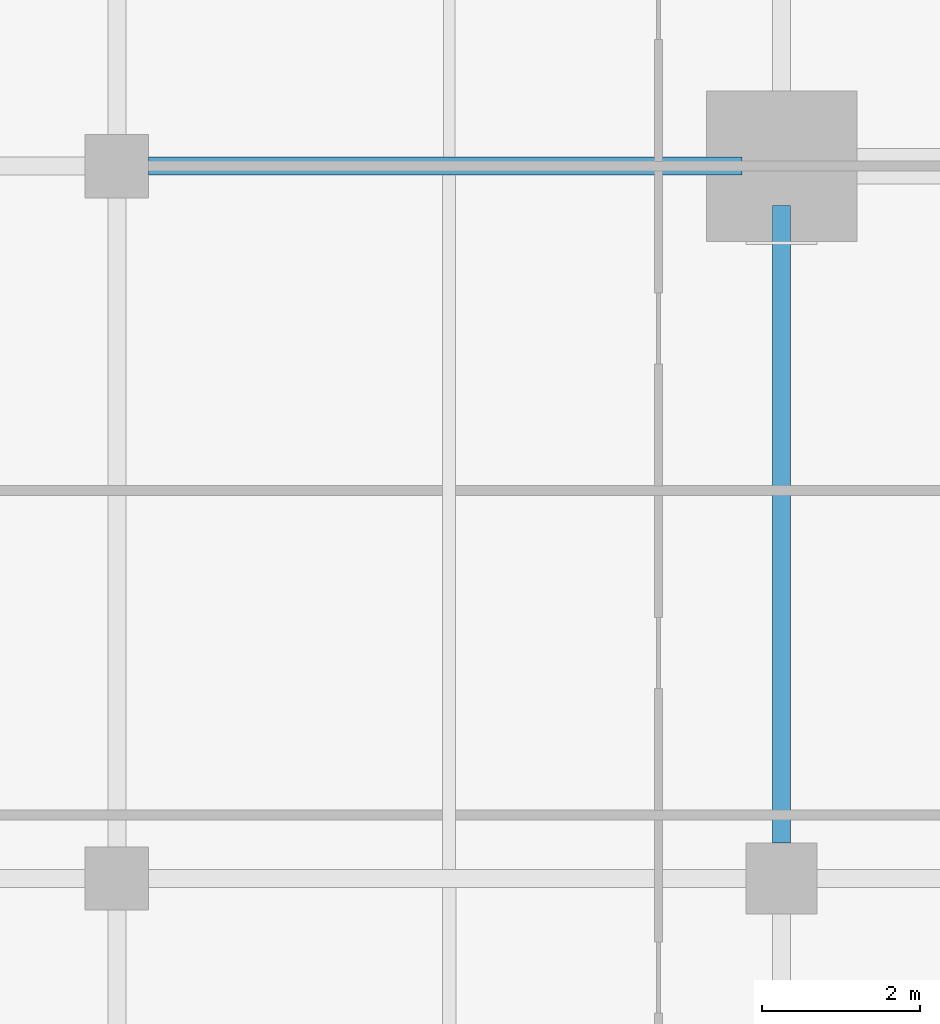
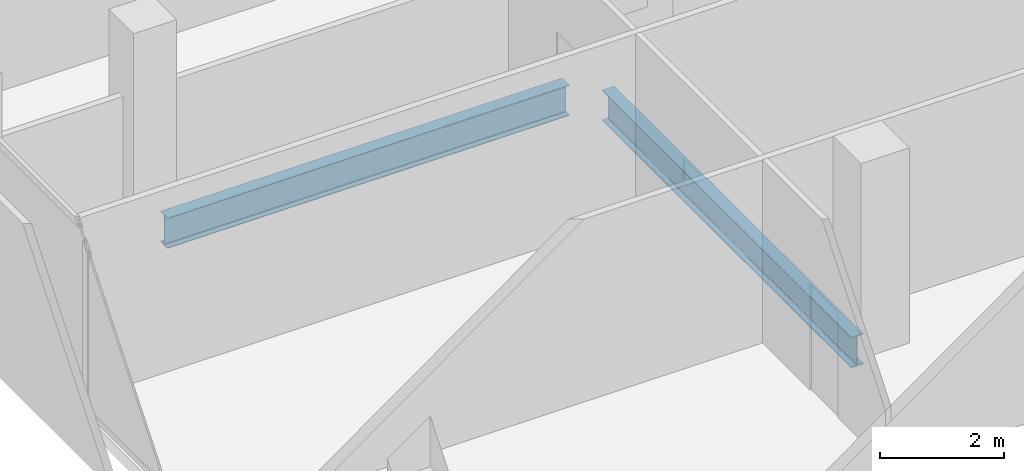
# One storey, part 9 of 34: 2 beams.
"""IFC4 building model written with IfcOpenShell, lengths in metres."""

from ifc_helpers import new_model, si_unit, direction, frame, origin, origin_2d, place, context, subcontext, project, spatial, i_section, extrude, material, material_profile, profile_set, type_object, element, save


model = new_model("IFC4")

# Units and contexts
model_context = context("Model", 3, precision=1e-05, world=origin(), true_north=direction((0.0, 1.0)))
body_context = subcontext(model_context, "Body", "Model", "MODEL_VIEW")
ifc_project = project(units=[si_unit("LENGTHUNIT", "METRE"), si_unit("AREAUNIT", "SQUARE_METRE"), si_unit("VOLUMEUNIT", "CUBIC_METRE"), si_unit("PLANEANGLEUNIT", "RADIAN"), si_unit("MASSUNIT", "GRAM", prefix="KILO")], contexts=[model_context])

# Site, building, storey
site_placement = place(None, origin())
site = spatial("IfcSite", under=ifc_project, at=site_placement, CompositionType="ELEMENT")
building_placement = place(site_placement, origin())
building = spatial("IfcBuilding", under=site, at=building_placement, Name="Maruvema Waterfront Hotel and Observation Tower", CompositionType="ELEMENT")
storey_placement = place(building_placement, frame((0.0, 0.0, 177.449951171875)))
storey = spatial("IfcBuildingStorey", under=building, at=storey_placement, Name="L43", CompositionType="ELEMENT", Elevation=177.449951171875)

# Beams
ifc_material = material(Name="Steel ASTM A572 Grade 50", Category="steel")
ifc_material_profile = material_profile(ifc_material, i_section(OverallWidth=0.22802734375, OverallDepth=0.60302734375, WebThickness=0.010498046875, FlangeThickness=0.014892578125, FilletRadius=0.01806640625, at=origin_2d()), Name="W610x101.0")
ifc_profile_set = profile_set([ifc_material_profile], Name="Steel ASTM A572 Grade 50")
beam_type = type_object("IfcBeamType", Name="Primary Floor Girder W610x101.0", PredefinedType="BEAM", material=ifc_profile_set)
beam_1_placement = place(storey_placement, frame((17.199951171875, 27.0, -0.54150390625), z_axis=(1.0, 0.0, 0.0), x_axis=(0.0, 1.0, 0.0)))
element("IfcBeam", 1, at=beam_1_placement, inside=storey, type_object=beam_type, Name="L43 Floor Girder EW-19", PredefinedType="BEAM", context=body_context, shape_type="SweptSolid", body=[
    extrude(i_section(OverallWidth=0.22802734375, OverallDepth=0.60302734375, WebThickness=0.010498046875, FlangeThickness=0.014892578125, FilletRadius=0.01806640625, at=origin_2d()), origin(), (0.0, 0.0, 1.0), 7.5),
])
beam_2_placement = place(storey_placement, frame((25.199951171875, 18.449951171875, -0.54150390625), z_axis=(0.0, 1.0, 0.0), x_axis=(-1.0, 0.0, 0.0)))
element("IfcBeam", 2, at=beam_2_placement, inside=storey, type_object=beam_type, Name="L43 Floor Girder NS-11", PredefinedType="BEAM", context=body_context, shape_type="SweptSolid", body=[
    extrude(i_section(OverallWidth=0.22802734375, OverallDepth=0.60302734375, WebThickness=0.010498046875, FlangeThickness=0.014892578125, FilletRadius=0.01806640625, at=origin_2d()), origin(), (0.0, 0.0, 1.0), 8.050048828125),
])

save(model, "model.ifc")
